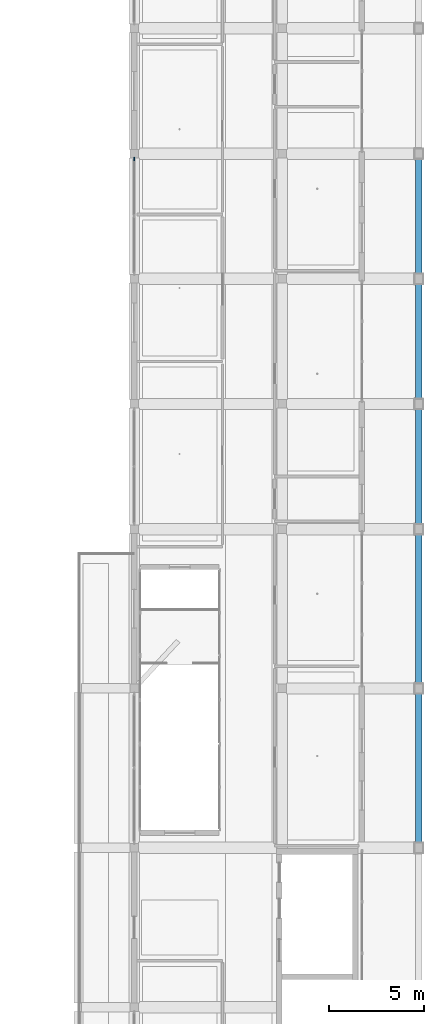
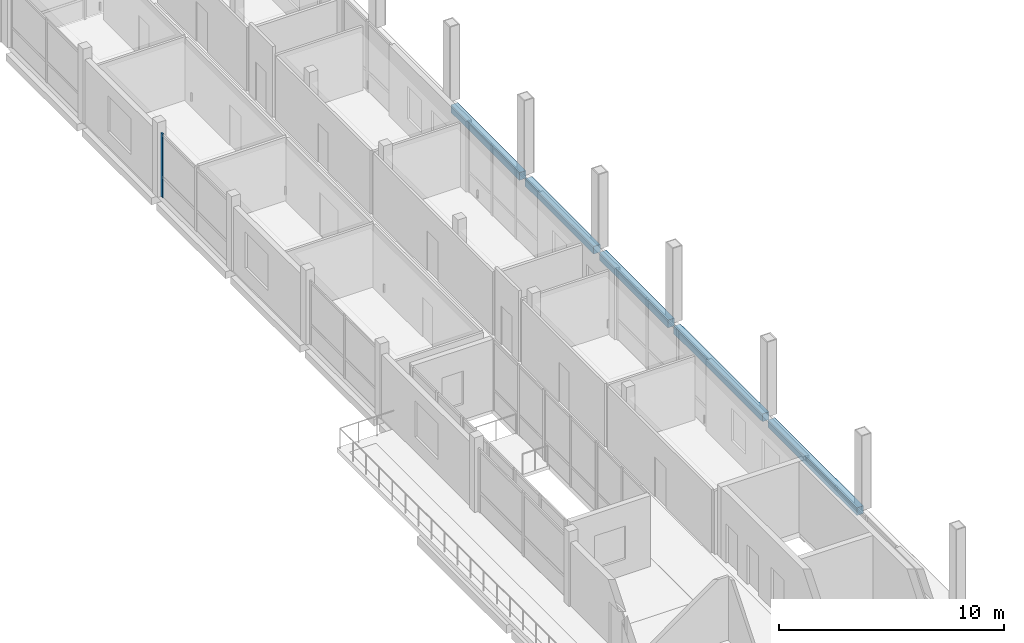
# One storey, part 14 of 48: 5 beams, 1 member, 1 element without a shape of its own.
"""IFC4 building model written with IfcOpenShell, lengths in metres."""

from ifc_helpers import new_model, si_unit, derived_unit, direction, frame, origin, origin_2d, place, context, subcontext, project, spatial, rectangle, extrude, material, material_profile, profile_set, type_object, element, aggregate, save


model = new_model("IFC4")

# Units and contexts
model_context = context("Model", 3, precision=1e-05, world=origin(), true_north=direction((0.0, 1.0)))
body_context = subcontext(model_context, "Body", "Model", "MODEL_VIEW")
ifc_project = project(units=[si_unit("LENGTHUNIT", "METRE"), si_unit("AREAUNIT", "SQUARE_METRE"), si_unit("VOLUMEUNIT", "CUBIC_METRE"), si_unit("PLANEANGLEUNIT", "RADIAN"), si_unit("MASSUNIT", "GRAM", prefix="KILO"), derived_unit("THERMALTRANSMITTANCEUNIT", [(si_unit("POWERUNIT", "WATT"), 1), (si_unit("LENGTHUNIT", "METRE"), -2), (si_unit("THERMODYNAMICTEMPERATUREUNIT", "KELVIN"), -1)])], contexts=[model_context])

# Site, building, storey
site_placement = place(None, origin())
site = spatial("IfcSite", under=ifc_project, at=site_placement, CompositionType="ELEMENT")
building_placement = place(site_placement, origin())
building = spatial("IfcBuilding", under=site, at=building_placement, Name="Braskholm Square Health Centre", CompositionType="ELEMENT")
storey_placement = place(building_placement, frame((0.0, 0.0, 17.550048828125)))
storey = spatial("IfcBuildingStorey", under=building, at=storey_placement, Name="L05", CompositionType="ELEMENT", Elevation=17.550048828125)

# Curtain wall, member
ifc_material_1 = material(Name="Low-E triple insulating glass (VLT 0.64)", Category="glass")
curtain_wall_type = type_object("IfcCurtainWallType", Name="UnitisedCurtainWall6200x3650", PredefinedType="NOTDEFINED", material=ifc_material_1)
curtain_wall_placement = place(storey_placement, origin())
curtain_wall = element("IfcCurtainWall", 1, at=curtain_wall_placement, inside=storey, type_object=curtain_wall_type, Name="East Valley unitised curtain wall CW-L05-0143", PredefinedType="NOTDEFINED")
ifc_material_2 = material(Name="Architectural bronze anodised aluminium", Category="aluminium")
ifc_material_profile_1 = material_profile(ifc_material_2, rectangle(XDim=0.074951171875, YDim=0.179931640625, at=origin_2d()), Name="ALU-75X180")
ifc_profile_set_1 = profile_set([ifc_material_profile_1], Name="Architectural bronze anodised aluminium")
member_type = type_object("IfcMemberType", Name="CurtainWallMullion75x180", PredefinedType="MULLION", material=ifc_profile_set_1)
member_placement = place(storey_placement, frame((148.800048828125, 100.123291015625, 0.0), z_axis=(0.0, 0.0, 1.0), x_axis=(1.0, 0.0, 0.0)))
member = element("IfcMember", 2, at=member_placement, type_object=member_type, Name="CW-L05-0143 vertical mullion 1", PredefinedType="MULLION", context=body_context, shape_type="SweptSolid", body=[
    extrude(rectangle(XDim=0.074951171875, YDim=0.179931640625, at=origin_2d()), origin(), (0.0, 0.0, 1.0), 3.4599609375),
])
aggregate(curtain_wall, [member])

# Beams
ifc_material_3 = material(Name="Precast concrete C40/50 architectural white", Category="concrete")
ifc_material_profile_2 = material_profile(ifc_material_3, rectangle(XDim=0.340087890625, YDim=0.419921875, at=origin_2d()), Name="RCB-340X420")
ifc_profile_set_2 = profile_set([ifc_material_profile_2], Name="Precast concrete C40/50 architectural white")
beam_type = type_object("IfcBeamType", Name="SpandrelCrownEdge340x420", PredefinedType="SPANDREL", material=ifc_profile_set_2)
beam_1_placement = place(storey_placement, frame((163.800048828125, 64.06005859375, -0.420166015625), z_axis=(0.0, 1.0, 0.0), x_axis=(-1.0, 0.0, 0.0)))
element("IfcBeam", 3, at=beam_1_placement, inside=storey, type_object=beam_type, Name="Beam 22/K-L L05", PredefinedType="SPANDREL", context=body_context, shape_type="SweptSolid", body=[
    extrude(rectangle(XDim=0.340087890625, YDim=0.419921875, at=origin_2d()), origin(), (0.0, 0.0, 1.0), 7.8798828125),
])
beam_2_placement = place(storey_placement, frame((163.800048828125, 72.4599609375, -0.420166015625), z_axis=(0.0, 1.0, 0.0), x_axis=(-1.0, 0.0, 0.0)))
element("IfcBeam", 4, at=beam_2_placement, inside=storey, type_object=beam_type, Name="Beam 22/L-M L05", PredefinedType="SPANDREL", context=body_context, shape_type="SweptSolid", body=[
    extrude(rectangle(XDim=0.340087890625, YDim=0.419921875, at=origin_2d()), origin(), (0.0, 0.0, 1.0), 7.880126953125),
])
beam_3_placement = place(storey_placement, frame((163.800048828125, 80.860107421875, -0.420166015625), z_axis=(0.0, 1.0, 0.0), x_axis=(-1.0, 0.0, 0.0)))
element("IfcBeam", 5, at=beam_3_placement, inside=storey, type_object=beam_type, Name="Beam 22/M-N L05", PredefinedType="SPANDREL", context=body_context, shape_type="SweptSolid", body=[
    extrude(rectangle(XDim=0.340087890625, YDim=0.419921875, at=origin_2d()), origin(), (0.0, 0.0, 1.0), 6.079833984375),
])
beam_4_placement = place(storey_placement, frame((163.800048828125, 87.4599609375, -0.420166015625), z_axis=(0.0, 1.0, 0.0), x_axis=(-1.0, 0.0, 0.0)))
element("IfcBeam", 6, at=beam_4_placement, inside=storey, type_object=beam_type, Name="Beam 22/N-P L05", PredefinedType="SPANDREL", context=body_context, shape_type="SweptSolid", body=[
    extrude(rectangle(XDim=0.340087890625, YDim=0.419921875, at=origin_2d()), origin(), (0.0, 0.0, 1.0), 6.080078125),
])
beam_5_placement = place(storey_placement, frame((163.800048828125, 94.06005859375, -0.420166015625), z_axis=(0.0, 1.0, 0.0), x_axis=(-1.0, 0.0, 0.0)))
element("IfcBeam", 7, at=beam_5_placement, inside=storey, type_object=beam_type, Name="Beam 22/P-Q L05", PredefinedType="SPANDREL", context=body_context, shape_type="SweptSolid", body=[
    extrude(rectangle(XDim=0.340087890625, YDim=0.419921875, at=origin_2d()), origin(), (0.0, 0.0, 1.0), 6.079833984375),
])

save(model, "model.ifc")
